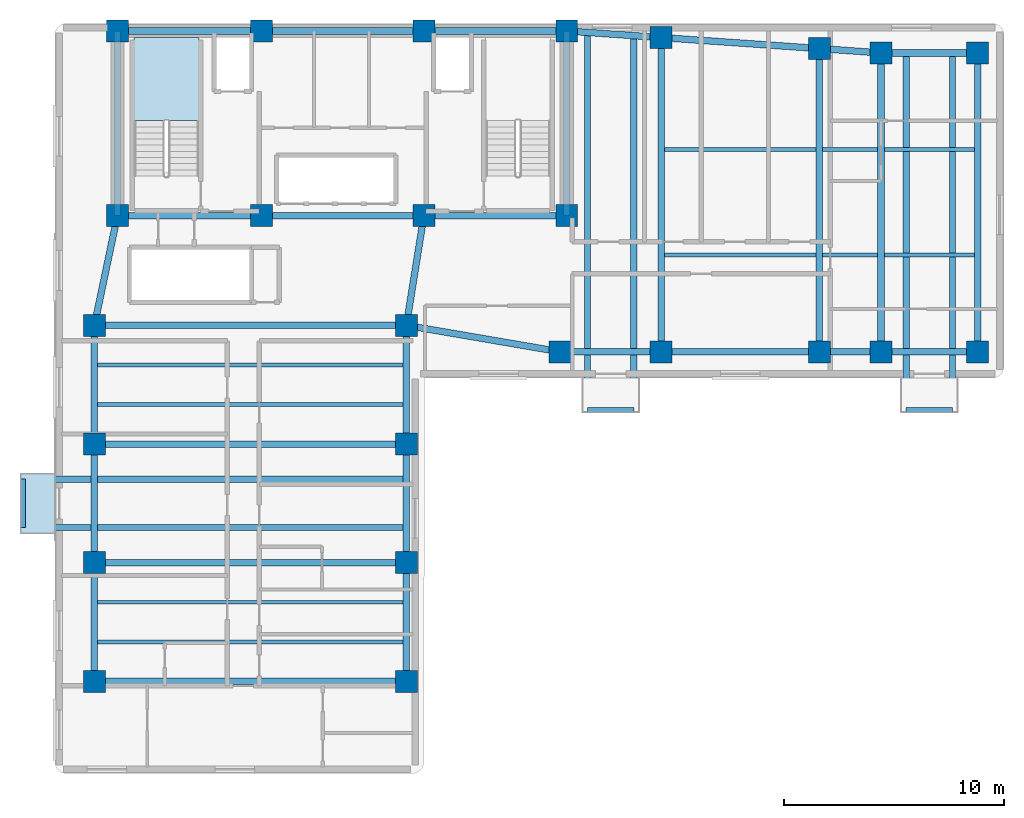
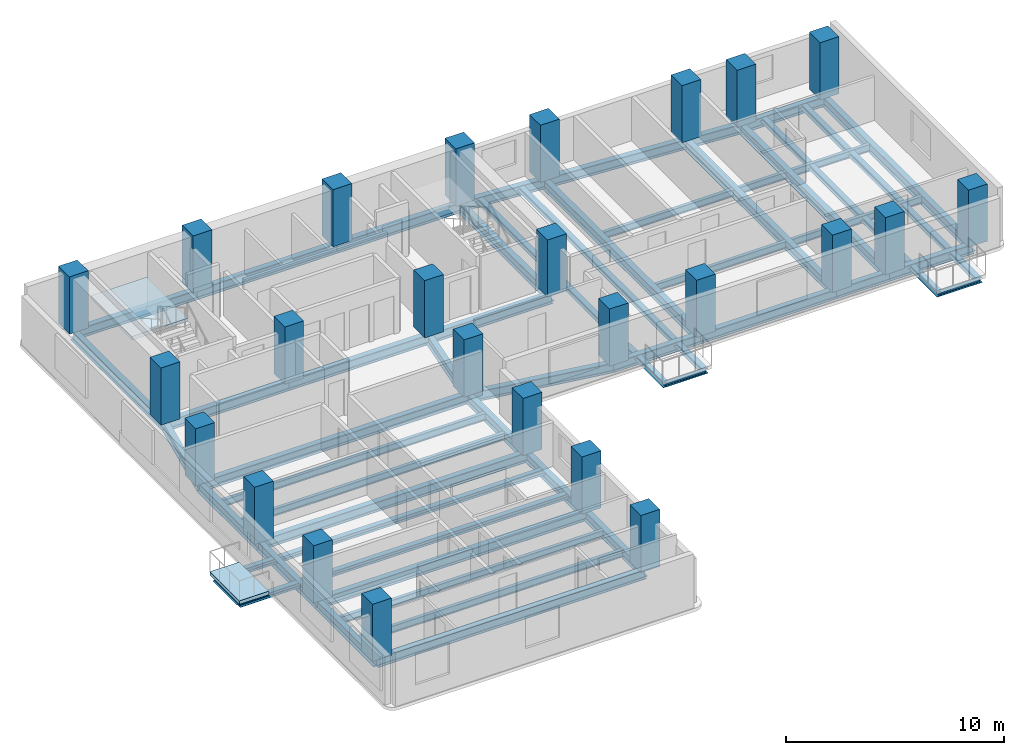
# One storey, part 1 of 7: 52 beams, 25 columns, 2 slabs, 1 element without a shape of its own.
"""IFC4 building model written with IfcOpenShell, lengths in metres."""

from ifc_helpers import new_model, si_unit, direction, frame, origin, origin_2d, place, context, subcontext, project, spatial, polyline, rectangle, i_section, outline, extrude, material, layer, layer_set, material_profile, profile_set, type_object, element, aggregate, save


model = new_model("IFC4")

# Units and contexts
model_context = context("Model", 3, precision=1e-05, world=origin(), true_north=direction((0.0, 1.0)))
body_context = subcontext(model_context, "Body", "Model", "MODEL_VIEW")
ifc_project = project(units=[si_unit("LENGTHUNIT", "METRE"), si_unit("AREAUNIT", "SQUARE_METRE"), si_unit("VOLUMEUNIT", "CUBIC_METRE"), si_unit("PLANEANGLEUNIT", "RADIAN"), si_unit("MASSUNIT", "GRAM", prefix="KILO")], contexts=[model_context])

# Site, building, storey
site_placement = place(None, origin())
site = spatial("IfcSite", under=ifc_project, at=site_placement, CompositionType="ELEMENT")
building_placement = place(site_placement, origin())
building = spatial("IfcBuilding", under=site, at=building_placement, Name="Kuzgunbayir Cultural Tower", CompositionType="ELEMENT")
storey_placement = place(building_placement, frame((0.0, 0.0, 133.0)))
storey = spatial("IfcBuildingStorey", under=building, at=storey_placement, Name="L38", CompositionType="ELEMENT", Elevation=133.0)

# Columns
ifc_material_1 = material(Name="Concrete C50/60", Category="concrete")
ifc_material_profile_1 = material_profile(ifc_material_1, rectangle(XDim=1.0, YDim=1.0, at=origin_2d()), Name="RC 1000x1000")
ifc_profile_set_1 = profile_set([ifc_material_profile_1], Name="Concrete C50/60")
column_type_1 = type_object("IfcColumnType", Name="COL-CORE-1000", PredefinedType="COLUMN", material=ifc_profile_set_1)
for number, where, z_axis, x_axis, name in (
    (1, (6.449951171875, 33.800048828125, 0.0), (0.0, 0.0, 1.0), (1.0, 0.0, 0.0), "L38 T1 Core Boundary Column CC1-1"),
    (2, (13.0, 33.800048828125, 0.0), (0.0, 0.0, 1.0), (1.0, 0.0, 0.0), "L38 T1 Core Boundary Column CC1-2"),
    (3, (20.39990234375, 33.800048828125, 0.0), (0.0, 0.0, 1.0), (1.0, 0.0, 0.0), "L38 T1 Core Boundary Column CC1-3"),
    (4, (26.89990234375, 33.800048828125, 0.0), (0.0, 0.0, 1.0), (1.0, 0.0, 0.0), "L38 T1 Core Boundary Column CC1-4"),
    (5, (6.449951171875, 42.199951171875, 0.0), (0.0, 0.0, 1.0), (1.0, 0.0, 0.0), "L38 T1 Core Boundary Column CC1-5"),
    (6, (13.0, 42.199951171875, 0.0), (0.0, 0.0, 1.0), (1.0, 0.0, 0.0), "L38 T1 Core Boundary Column CC1-6"),
    (7, (20.39990234375, 42.199951171875, 0.0), (0.0, 0.0, 1.0), (1.0, 0.0, 0.0), "L38 T1 Core Boundary Column CC1-7"),
    (8, (26.89990234375, 42.199951171875, 0.0), (0.0, 0.0, 1.0), (1.0, 0.0, 0.0), "L38 T1 Core Boundary Column CC1-8"),
):
    element("IfcColumn", number, at=place(storey_placement, frame(where, z_axis=z_axis, x_axis=x_axis)), inside=storey, type_object=column_type_1, Name=name, PredefinedType="COLUMN", context=body_context, shape_type="SweptSolid", body=[
        extrude(rectangle(XDim=1.0, YDim=1.0, at=origin_2d()), origin(), (0.0, 0.0, 1.0), 3.199951171875),
    ])
ifc_material_profile_2 = material_profile(ifc_material_1, rectangle(XDim=1.0, YDim=1.0, at=origin_2d()), Name="RC 1000x1000")
ifc_profile_set_2 = profile_set([ifc_material_profile_2], Name="Concrete C50/60")
column_type_2 = type_object("IfcColumnType", Name="COL-T1-1000", PredefinedType="COLUMN", material=ifc_profile_set_2)
for number, where, z_axis, x_axis, name in (
    (9, (5.39990234375, 12.60009765625, 0.0), (0.0, 0.0, 1.0), (1.0, 0.0, 0.0), "L38 Tower 1 Wing A Column T1A-W-1"),
    (10, (19.60009765625, 12.60009765625, 0.0), (0.0, 0.0, 1.0), (1.0, 0.0, 0.0), "L38 Tower 1 Wing A Column T1A-E-1"),
    (11, (5.39990234375, 18.0, 0.0), (0.0, 0.0, 1.0), (1.0, 0.0, 0.0), "L38 Tower 1 Wing A Column T1A-W-2"),
    (12, (19.60009765625, 18.0, 0.0), (0.0, 0.0, 1.0), (1.0, 0.0, 0.0), "L38 Tower 1 Wing A Column T1A-E-2"),
    (13, (5.39990234375, 23.39990234375, 0.0), (0.0, 0.0, 1.0), (1.0, 0.0, 0.0), "L38 Tower 1 Wing A Column T1A-W-3"),
    (14, (19.60009765625, 23.39990234375, 0.0), (0.0, 0.0, 1.0), (1.0, 0.0, 0.0), "L38 Tower 1 Wing A Column T1A-E-3"),
    (15, (5.39990234375, 28.800048828125, 0.0), (0.0, 0.0, 1.0), (1.0, 0.0, 0.0), "L38 Tower 1 Wing A Column T1A-W-4"),
    (16, (19.60009765625, 28.800048828125, 0.0), (0.0, 0.0, 1.0), (1.0, 0.0, 0.0), "L38 Tower 1 Wing A Column T1A-E-4"),
    (17, (26.60009765625, 27.60009765625, 0.0), (0.0, 0.0, 1.0), (1.0, 0.0, 0.0), "L38 Tower 1 Wing B Column T1B-1-1"),
    (18, (31.199951171875, 27.60009765625, 0.0), (0.0, 0.0, 1.0), (1.0, 0.0, 0.0), "L38 Tower 1 Wing B Column T1B-2-1"),
    (19, (31.199951171875, 41.89990234375, 0.0), (0.0, 0.0, 1.0), (1.0, 0.0, 0.0), "L38 Tower 1 Wing B Column T1B-2-2"),
    (20, (38.39990234375, 27.60009765625, 0.0), (0.0, 0.0, 1.0), (1.0, 0.0, 0.0), "L38 Tower 1 Wing B Column T1B-3-1"),
    (21, (38.39990234375, 41.39990234375, 0.0), (0.0, 0.0, 1.0), (1.0, 0.0, 0.0), "L38 Tower 1 Wing B Column T1B-3-2"),
    (22, (41.199951171875, 27.60009765625, 0.0), (0.0, 0.0, 1.0), (1.0, 0.0, 0.0), "L38 Tower 1 Wing B Column T1B-4-1"),
    (23, (41.199951171875, 41.199951171875, 0.0), (0.0, 0.0, 1.0), (1.0, 0.0, 0.0), "L38 Tower 1 Wing B Column T1B-4-2"),
    (24, (45.60009765625, 27.60009765625, 0.0), (0.0, 0.0, 1.0), (1.0, 0.0, 0.0), "L38 Tower 1 Wing B Column T1B-5-1"),
    (25, (45.60009765625, 41.199951171875, 0.0), (0.0, 0.0, 1.0), (1.0, 0.0, 0.0), "L38 Tower 1 Wing B Column T1B-5-2"),
):
    element("IfcColumn", number, at=place(storey_placement, frame(where, z_axis=z_axis, x_axis=x_axis)), inside=storey, type_object=column_type_2, Name=name, PredefinedType="COLUMN", context=body_context, shape_type="SweptSolid", body=[
        extrude(rectangle(XDim=1.0, YDim=1.0, at=origin_2d()), origin(), (0.0, 0.0, 1.0), 3.199951171875),
    ])

# Beams
ifc_material_2 = material(Name="Steel S355J2", Category="steel")
ifc_material_profile_3 = material_profile(ifc_material_2, i_section(OverallWidth=0.280029296875, OverallDepth=0.280029296875, WebThickness=0.010498046875, FlangeThickness=0.01806640625, FilletRadius=0.02392578125, at=origin_2d()), Name="HEB 280")
ifc_profile_set_3 = profile_set([ifc_material_profile_3], Name="Steel S355J2")
beam_type_1 = type_object("IfcBeamType", Name="BM-BAL-HEB280", PredefinedType="BEAM", material=ifc_profile_set_3)
for number, where, z_axis, x_axis, name in (
    (26, (2.159912109375, 19.60009765625, -0.340087890625), (1.0, 0.0, 0.0), (0.0, 1.0, 0.0), "L38 Balcony Outrigger Beam BAL-L38-WA2.1"),
    (27, (2.159912109375, 21.800048828125, -0.340087890625), (1.0, 0.0, 0.0), (0.0, 1.0, 0.0), "L38 Balcony Outrigger Beam BAL-L38-WA2.2"),
):
    element("IfcBeam", number, at=place(storey_placement, frame(where, z_axis=z_axis, x_axis=x_axis)), inside=storey, type_object=beam_type_1, Name=name, PredefinedType="BEAM", context=body_context, shape_type="SweptSolid", body=[
        extrude(i_section(OverallWidth=0.280029296875, OverallDepth=0.280029296875, WebThickness=0.010498046875, FlangeThickness=0.01806640625, FilletRadius=0.02392578125, at=origin_2d()), origin(), (0.0, 0.0, 1.0), 17.440185546875),
    ])
beam_1_placement = place(storey_placement, frame((27.85009765625, 24.9599609375, -0.340087890625), z_axis=(0.0, 1.0, 0.0), x_axis=(-1.0, 0.0, 0.0)))
element("IfcBeam", 28, at=beam_1_placement, inside=storey, type_object=beam_type_1, Name="L38 Balcony Outrigger Beam BAL-L38-WB1.1", PredefinedType="BEAM", context=body_context, shape_type="SweptSolid", body=[
    extrude(i_section(OverallWidth=0.280029296875, OverallDepth=0.280029296875, WebThickness=0.010498046875, FlangeThickness=0.01806640625, FilletRadius=0.02392578125, at=origin_2d()), origin(), (0.0, 0.0, 1.0), 17.169921875),
])
beam_2_placement = place(storey_placement, frame((29.949951171875, 24.9599609375, -0.340087890625), z_axis=(0.0, 1.0, 0.0), x_axis=(-1.0, 0.0, 0.0)))
element("IfcBeam", 29, at=beam_2_placement, inside=storey, type_object=beam_type_1, Name="L38 Balcony Outrigger Beam BAL-L38-WB1.2", PredefinedType="BEAM", context=body_context, shape_type="SweptSolid", body=[
    extrude(i_section(OverallWidth=0.280029296875, OverallDepth=0.280029296875, WebThickness=0.010498046875, FlangeThickness=0.01806640625, FilletRadius=0.02392578125, at=origin_2d()), origin(), (0.0, 0.0, 1.0), 17.030029296875),
])
for number, where, z_axis, x_axis, name in (
    (30, (42.35009765625, 24.9599609375, -0.340087890625), (0.0, 1.0, 0.0), (-1.0, 0.0, 0.0), "L38 Balcony Outrigger Beam BAL-L38-WB3.1"),
    (31, (44.449951171875, 24.9599609375, -0.340087890625), (0.0, 1.0, 0.0), (-1.0, 0.0, 0.0), "L38 Balcony Outrigger Beam BAL-L38-WB3.2"),
):
    element("IfcBeam", number, at=place(storey_placement, frame(where, z_axis=z_axis, x_axis=x_axis)), inside=storey, type_object=beam_type_1, Name=name, PredefinedType="BEAM", context=body_context, shape_type="SweptSolid", body=[
        extrude(i_section(OverallWidth=0.280029296875, OverallDepth=0.280029296875, WebThickness=0.010498046875, FlangeThickness=0.01806640625, FilletRadius=0.02392578125, at=origin_2d()), origin(), (0.0, 0.0, 1.0), 16.239990234375),
    ])
ifc_material_profile_4 = material_profile(ifc_material_2, i_section(OverallWidth=0.199951171875, OverallDepth=0.199951171875, WebThickness=0.009033203125, FlangeThickness=0.014892578125, FilletRadius=0.01806640625, at=origin_2d()), Name="HEB 200")
ifc_profile_set_4 = profile_set([ifc_material_profile_4], Name="Steel S355J2")
beam_type_2 = type_object("IfcBeamType", Name="BM-CAN-HEB200", PredefinedType="BEAM", material=ifc_profile_set_4)
beam_3_placement = place(storey_placement, frame((2.159912109375, 19.60009765625, -0.300048828125), z_axis=(0.0, 1.0, 0.0), x_axis=(-1.0, 0.0, 0.0)))
element("IfcBeam", 32, at=beam_3_placement, inside=storey, type_object=beam_type_2, Name="L38 Balcony Edge Header BAL-L38-WA2", PredefinedType="BEAM", context=body_context, shape_type="SweptSolid", body=[
    extrude(i_section(OverallWidth=0.199951171875, OverallDepth=0.199951171875, WebThickness=0.009033203125, FlangeThickness=0.014892578125, FilletRadius=0.01806640625, at=origin_2d()), origin(), (0.0, 0.0, 1.0), 2.199951171875),
])
for number, where, z_axis, x_axis, name in (
    (33, (27.85009765625, 24.9599609375, -0.300048828125), (1.0, 0.0, 0.0), (0.0, 1.0, 0.0), "L38 Balcony Edge Header BAL-L38-WB1"),
    (34, (42.35009765625, 24.9599609375, -0.300048828125), (1.0, 0.0, 0.0), (0.0, 1.0, 0.0), "L38 Balcony Edge Header BAL-L38-WB3"),
):
    element("IfcBeam", number, at=place(storey_placement, frame(where, z_axis=z_axis, x_axis=x_axis)), inside=storey, type_object=beam_type_2, Name=name, PredefinedType="BEAM", context=body_context, shape_type="SweptSolid", body=[
        extrude(i_section(OverallWidth=0.199951171875, OverallDepth=0.199951171875, WebThickness=0.009033203125, FlangeThickness=0.014892578125, FilletRadius=0.01806640625, at=origin_2d()), origin(), (0.0, 0.0, 1.0), 2.099853515625),
    ])
ifc_material_profile_5 = material_profile(ifc_material_2, i_section(OverallWidth=0.300048828125, OverallDepth=0.550048828125, WebThickness=0.014892578125, FlangeThickness=0.029052734375, FilletRadius=0.027099609375, at=origin_2d()), Name="HEB 550")
ifc_profile_set_5 = profile_set([ifc_material_profile_5], Name="Steel S355J2")
beam_type_3 = type_object("IfcBeamType", Name="BM-EXT-HEB550", PredefinedType="BEAM", material=ifc_profile_set_5)
for number, where, z_axis, x_axis, name in (
    (35, (5.39990234375, 12.60009765625, -0.4599609375), (0.0, 1.0, 0.0), (-1.0, 0.0, 0.0), "L38 Wing A West Girder 1"),
    (36, (19.60009765625, 12.60009765625, -0.4599609375), (0.0, 1.0, 0.0), (-1.0, 0.0, 0.0), "L38 Wing A East Girder 1"),
    (37, (5.39990234375, 18.0, -0.4599609375), (0.0, 1.0, 0.0), (-1.0, 0.0, 0.0), "L38 Wing A West Girder 2"),
    (38, (19.60009765625, 18.0, -0.4599609375), (0.0, 1.0, 0.0), (-1.0, 0.0, 0.0), "L38 Wing A East Girder 2"),
):
    element("IfcBeam", number, at=place(storey_placement, frame(where, z_axis=z_axis, x_axis=x_axis)), inside=storey, type_object=beam_type_3, Name=name, PredefinedType="BEAM", context=body_context, shape_type="SweptSolid", body=[
        extrude(i_section(OverallWidth=0.300048828125, OverallDepth=0.550048828125, WebThickness=0.014892578125, FlangeThickness=0.029052734375, FilletRadius=0.027099609375, at=origin_2d()), origin(), (0.0, 0.0, 1.0), 5.39990234375),
    ])
for number, where, z_axis, x_axis, name in (
    (39, (5.39990234375, 23.39990234375, -0.4599609375), (0.0, 1.0, 0.0), (-1.0, 0.0, 0.0), "L38 Wing A West Girder 3"),
    (40, (19.60009765625, 23.39990234375, -0.4599609375), (0.0, 1.0, 0.0), (-1.0, 0.0, 0.0), "L38 Wing A East Girder 3"),
):
    element("IfcBeam", number, at=place(storey_placement, frame(where, z_axis=z_axis, x_axis=x_axis)), inside=storey, type_object=beam_type_3, Name=name, PredefinedType="BEAM", context=body_context, shape_type="SweptSolid", body=[
        extrude(i_section(OverallWidth=0.300048828125, OverallDepth=0.550048828125, WebThickness=0.014892578125, FlangeThickness=0.029052734375, FilletRadius=0.027099609375, at=origin_2d()), origin(), (0.0, 0.0, 1.0), 5.400146484375),
    ])
beam_4_placement = place(storey_placement, frame((26.60009765625, 27.60009765625, -0.4599609375), z_axis=(1.0, 0.0, 0.0), x_axis=(0.0, 1.0, 0.0)))
element("IfcBeam", 41, at=beam_4_placement, inside=storey, type_object=beam_type_3, Name="L38 Wing B South Girder 1", PredefinedType="BEAM", context=body_context, shape_type="SweptSolid", body=[
    extrude(i_section(OverallWidth=0.300048828125, OverallDepth=0.550048828125, WebThickness=0.014892578125, FlangeThickness=0.029052734375, FilletRadius=0.027099609375, at=origin_2d()), origin(), (0.0, 0.0, 1.0), 4.599853515625),
])
beam_5_placement = place(storey_placement, frame((26.89990234375, 42.199951171875, -0.4599609375), z_axis=(0.997574369175, -0.069608749203, 0.0), x_axis=(0.069608749203, 0.997574369175, 0.0)))
element("IfcBeam", 42, at=beam_5_placement, inside=storey, type_object=beam_type_3, Name="L38 Wing B North Girder 1", PredefinedType="BEAM", context=body_context, shape_type="SweptSolid", body=[
    extrude(i_section(OverallWidth=0.300048828125, OverallDepth=0.550048828125, WebThickness=0.014892578125, FlangeThickness=0.029052734375, FilletRadius=0.027099609375, at=origin_2d()), origin(), (0.0, 0.0, 1.0), 4.310546875),
])
beam_6_placement = place(storey_placement, frame((31.199951171875, 27.60009765625, -0.4599609375), z_axis=(1.0, 0.0, 0.0), x_axis=(0.0, 1.0, 0.0)))
element("IfcBeam", 43, at=beam_6_placement, inside=storey, type_object=beam_type_3, Name="L38 Wing B South Girder 2", PredefinedType="BEAM", context=body_context, shape_type="SweptSolid", body=[
    extrude(i_section(OverallWidth=0.300048828125, OverallDepth=0.550048828125, WebThickness=0.014892578125, FlangeThickness=0.029052734375, FilletRadius=0.027099609375, at=origin_2d()), origin(), (0.0, 0.0, 1.0), 7.199951171875),
])
beam_7_placement = place(storey_placement, frame((31.199951171875, 41.89990234375, -0.4599609375), z_axis=(0.997597388498, -0.069278066245, 0.0), x_axis=(0.069278066245, 0.997597388498, 0.0)))
element("IfcBeam", 44, at=beam_7_placement, inside=storey, type_object=beam_type_3, Name="L38 Wing B North Girder 2", PredefinedType="BEAM", context=body_context, shape_type="SweptSolid", body=[
    extrude(i_section(OverallWidth=0.300048828125, OverallDepth=0.550048828125, WebThickness=0.014892578125, FlangeThickness=0.029052734375, FilletRadius=0.027099609375, at=origin_2d()), origin(), (0.0, 0.0, 1.0), 7.21728515625),
])
beam_8_placement = place(storey_placement, frame((38.39990234375, 27.60009765625, -0.4599609375), z_axis=(1.0, 0.0, 0.0), x_axis=(0.0, 1.0, 0.0)))
element("IfcBeam", 45, at=beam_8_placement, inside=storey, type_object=beam_type_3, Name="L38 Wing B South Girder 3", PredefinedType="BEAM", context=body_context, shape_type="SweptSolid", body=[
    extrude(i_section(OverallWidth=0.300048828125, OverallDepth=0.550048828125, WebThickness=0.014892578125, FlangeThickness=0.029052734375, FilletRadius=0.027099609375, at=origin_2d()), origin(), (0.0, 0.0, 1.0), 2.800048828125),
])
beam_9_placement = place(storey_placement, frame((38.39990234375, 41.39990234375, -0.4599609375), z_axis=(0.997460024076, -0.071228508128, 0.0), x_axis=(0.071228508128, 0.997460024076, 0.0)))
element("IfcBeam", 46, at=beam_9_placement, inside=storey, type_object=beam_type_3, Name="L38 Wing B North Girder 3", PredefinedType="BEAM", context=body_context, shape_type="SweptSolid", body=[
    extrude(i_section(OverallWidth=0.300048828125, OverallDepth=0.550048828125, WebThickness=0.014892578125, FlangeThickness=0.029052734375, FilletRadius=0.027099609375, at=origin_2d()), origin(), (0.0, 0.0, 1.0), 2.80712890625),
])
for number, where, z_axis, x_axis, name in (
    (47, (41.199951171875, 27.60009765625, -0.4599609375), (1.0, 0.0, 0.0), (0.0, 1.0, 0.0), "L38 Wing B South Girder 4"),
    (48, (41.199951171875, 41.199951171875, -0.4599609375), (1.0, 0.0, 0.0), (0.0, 1.0, 0.0), "L38 Wing B North Girder 4"),
):
    element("IfcBeam", number, at=place(storey_placement, frame(where, z_axis=z_axis, x_axis=x_axis)), inside=storey, type_object=beam_type_3, Name=name, PredefinedType="BEAM", context=body_context, shape_type="SweptSolid", body=[
        extrude(i_section(OverallWidth=0.300048828125, OverallDepth=0.550048828125, WebThickness=0.014892578125, FlangeThickness=0.029052734375, FilletRadius=0.027099609375, at=origin_2d()), origin(), (0.0, 0.0, 1.0), 4.400146484375),
    ])
ifc_material_profile_6 = material_profile(ifc_material_2, i_section(OverallWidth=0.300048828125, OverallDepth=0.550048828125, WebThickness=0.014892578125, FlangeThickness=0.029052734375, FilletRadius=0.027099609375, at=origin_2d()), Name="HEB 550")
ifc_profile_set_6 = profile_set([ifc_material_profile_6], Name="Steel S355J2")
beam_type_4 = type_object("IfcBeamType", Name="BM-GIR-HEB550", PredefinedType="BEAM", material=ifc_profile_set_6)
beam_10_placement = place(storey_placement, frame((6.449951171875, 33.800048828125, -0.4599609375), z_axis=(1.0, 0.0, 0.0), x_axis=(0.0, 1.0, 0.0)))
element("IfcBeam", 49, at=beam_10_placement, inside=storey, type_object=beam_type_4, Name="L38 Core South Girder 1", PredefinedType="BEAM", context=body_context, shape_type="SweptSolid", body=[
    extrude(i_section(OverallWidth=0.300048828125, OverallDepth=0.550048828125, WebThickness=0.014892578125, FlangeThickness=0.029052734375, FilletRadius=0.027099609375, at=origin_2d()), origin(), (0.0, 0.0, 1.0), 6.550048828125),
])
beam_11_placement = place(storey_placement, frame((13.0, 33.800048828125, -0.4599609375), z_axis=(1.0, 0.0, 0.0), x_axis=(0.0, 1.0, 0.0)))
element("IfcBeam", 50, at=beam_11_placement, inside=storey, type_object=beam_type_4, Name="L38 Core South Girder 2", PredefinedType="BEAM", context=body_context, shape_type="SweptSolid", body=[
    extrude(i_section(OverallWidth=0.300048828125, OverallDepth=0.550048828125, WebThickness=0.014892578125, FlangeThickness=0.029052734375, FilletRadius=0.027099609375, at=origin_2d()), origin(), (0.0, 0.0, 1.0), 7.39990234375),
])
beam_12_placement = place(storey_placement, frame((20.39990234375, 33.800048828125, -0.4599609375), z_axis=(1.0, 0.0, 0.0), x_axis=(0.0, 1.0, 0.0)))
element("IfcBeam", 51, at=beam_12_placement, inside=storey, type_object=beam_type_4, Name="L38 Core South Girder 3", PredefinedType="BEAM", context=body_context, shape_type="SweptSolid", body=[
    extrude(i_section(OverallWidth=0.300048828125, OverallDepth=0.550048828125, WebThickness=0.014892578125, FlangeThickness=0.029052734375, FilletRadius=0.027099609375, at=origin_2d()), origin(), (0.0, 0.0, 1.0), 6.5),
])
beam_13_placement = place(storey_placement, frame((6.449951171875, 42.199951171875, -0.4599609375), z_axis=(1.0, 0.0, 0.0), x_axis=(0.0, 1.0, 0.0)))
element("IfcBeam", 52, at=beam_13_placement, inside=storey, type_object=beam_type_4, Name="L38 Core North Girder 1", PredefinedType="BEAM", context=body_context, shape_type="SweptSolid", body=[
    extrude(i_section(OverallWidth=0.300048828125, OverallDepth=0.550048828125, WebThickness=0.014892578125, FlangeThickness=0.029052734375, FilletRadius=0.027099609375, at=origin_2d()), origin(), (0.0, 0.0, 1.0), 6.550048828125),
])
beam_14_placement = place(storey_placement, frame((13.0, 42.199951171875, -0.4599609375), z_axis=(1.0, 0.0, 0.0), x_axis=(0.0, 1.0, 0.0)))
element("IfcBeam", 53, at=beam_14_placement, inside=storey, type_object=beam_type_4, Name="L38 Core North Girder 2", PredefinedType="BEAM", context=body_context, shape_type="SweptSolid", body=[
    extrude(i_section(OverallWidth=0.300048828125, OverallDepth=0.550048828125, WebThickness=0.014892578125, FlangeThickness=0.029052734375, FilletRadius=0.027099609375, at=origin_2d()), origin(), (0.0, 0.0, 1.0), 7.39990234375),
])
beam_15_placement = place(storey_placement, frame((20.39990234375, 42.199951171875, -0.4599609375), z_axis=(1.0, 0.0, 0.0), x_axis=(0.0, 1.0, 0.0)))
element("IfcBeam", 54, at=beam_15_placement, inside=storey, type_object=beam_type_4, Name="L38 Core North Girder 3", PredefinedType="BEAM", context=body_context, shape_type="SweptSolid", body=[
    extrude(i_section(OverallWidth=0.300048828125, OverallDepth=0.550048828125, WebThickness=0.014892578125, FlangeThickness=0.029052734375, FilletRadius=0.027099609375, at=origin_2d()), origin(), (0.0, 0.0, 1.0), 6.5),
])
for number, where, z_axis, x_axis, name in (
    (55, (6.449951171875, 33.800048828125, -0.4599609375), (0.0, 1.0, 0.0), (-1.0, 0.0, 0.0), "L38 Core West Edge Girder"),
    (56, (26.89990234375, 33.800048828125, -0.4599609375), (0.0, 1.0, 0.0), (-1.0, 0.0, 0.0), "L38 Core East Edge Girder"),
):
    element("IfcBeam", number, at=place(storey_placement, frame(where, z_axis=z_axis, x_axis=x_axis)), inside=storey, type_object=beam_type_4, Name=name, PredefinedType="BEAM", context=body_context, shape_type="SweptSolid", body=[
        extrude(i_section(OverallWidth=0.300048828125, OverallDepth=0.550048828125, WebThickness=0.014892578125, FlangeThickness=0.029052734375, FilletRadius=0.027099609375, at=origin_2d()), origin(), (0.0, 0.0, 1.0), 8.39990234375),
    ])
for number, where, z_axis, x_axis, name in (
    (57, (5.39990234375, 12.60009765625, -0.4599609375), (1.0, 0.0, 0.0), (0.0, 1.0, 0.0), "L38 Wing A Transverse Girder 1"),
    (58, (5.39990234375, 18.0, -0.4599609375), (1.0, 0.0, 0.0), (0.0, 1.0, 0.0), "L38 Wing A Transverse Girder 2"),
    (59, (5.39990234375, 23.39990234375, -0.4599609375), (1.0, 0.0, 0.0), (0.0, 1.0, 0.0), "L38 Wing A Transverse Girder 3"),
    (60, (5.39990234375, 28.800048828125, -0.4599609375), (1.0, 0.0, 0.0), (0.0, 1.0, 0.0), "L38 Wing A Transverse Girder 4"),
):
    element("IfcBeam", number, at=place(storey_placement, frame(where, z_axis=z_axis, x_axis=x_axis)), inside=storey, type_object=beam_type_4, Name=name, PredefinedType="BEAM", context=body_context, shape_type="SweptSolid", body=[
        extrude(i_section(OverallWidth=0.300048828125, OverallDepth=0.550048828125, WebThickness=0.014892578125, FlangeThickness=0.029052734375, FilletRadius=0.027099609375, at=origin_2d()), origin(), (0.0, 0.0, 1.0), 14.2001953125),
    ])
beam_16_placement = place(storey_placement, frame((5.39990234375, 28.800048828125, -0.4599609375), z_axis=(0.205526387753, 0.978651574329, 0.0), x_axis=(-0.978651574329, 0.205526387753, 0.0)))
element("IfcBeam", 61, at=beam_16_placement, inside=storey, type_object=beam_type_4, Name="L38 Wing A West Core Floor Girder", PredefinedType="BEAM", context=body_context, shape_type="SweptSolid", body=[
    extrude(i_section(OverallWidth=0.300048828125, OverallDepth=0.550048828125, WebThickness=0.014892578125, FlangeThickness=0.029052734375, FilletRadius=0.027099609375, at=origin_2d()), origin(), (0.0, 0.0, 1.0), 5.109130859375),
])
beam_17_placement = place(storey_placement, frame((19.60009765625, 28.800048828125, -0.4599609375), z_axis=(0.157952891656, 0.987446648694, 0.0), x_axis=(-0.987446648694, 0.157952891656, 0.0)))
element("IfcBeam", 62, at=beam_17_placement, inside=storey, type_object=beam_type_4, Name="L38 Wing A East Core Floor Girder", PredefinedType="BEAM", context=body_context, shape_type="SweptSolid", body=[
    extrude(i_section(OverallWidth=0.300048828125, OverallDepth=0.550048828125, WebThickness=0.014892578125, FlangeThickness=0.029052734375, FilletRadius=0.027099609375, at=origin_2d()), origin(), (0.0, 0.0, 1.0), 5.0634765625),
])
beam_18_placement = place(storey_placement, frame((31.199951171875, 27.60009765625, -0.4599609375), z_axis=(0.0, 1.0, 0.0), x_axis=(-1.0, 0.0, 0.0)))
element("IfcBeam", 63, at=beam_18_placement, inside=storey, type_object=beam_type_4, Name="L38 Wing B Cross Girder 31", PredefinedType="BEAM", context=body_context, shape_type="SweptSolid", body=[
    extrude(i_section(OverallWidth=0.300048828125, OverallDepth=0.550048828125, WebThickness=0.014892578125, FlangeThickness=0.029052734375, FilletRadius=0.027099609375, at=origin_2d()), origin(), (0.0, 0.0, 1.0), 14.2998046875),
])
beam_19_placement = place(storey_placement, frame((38.39990234375, 27.60009765625, -0.4599609375), z_axis=(0.0, 1.0, 0.0), x_axis=(-1.0, 0.0, 0.0)))
element("IfcBeam", 64, at=beam_19_placement, inside=storey, type_object=beam_type_4, Name="L38 Wing B Cross Girder 38", PredefinedType="BEAM", context=body_context, shape_type="SweptSolid", body=[
    extrude(i_section(OverallWidth=0.300048828125, OverallDepth=0.550048828125, WebThickness=0.014892578125, FlangeThickness=0.029052734375, FilletRadius=0.027099609375, at=origin_2d()), origin(), (0.0, 0.0, 1.0), 13.7998046875),
])
for number, where, z_axis, x_axis, name in (
    (65, (41.199951171875, 27.60009765625, -0.4599609375), (0.0, 1.0, 0.0), (-1.0, 0.0, 0.0), "L38 Wing B Cross Girder 41"),
    (66, (45.60009765625, 27.60009765625, -0.4599609375), (0.0, 1.0, 0.0), (-1.0, 0.0, 0.0), "L38 Wing B Cross Girder 45"),
):
    element("IfcBeam", number, at=place(storey_placement, frame(where, z_axis=z_axis, x_axis=x_axis)), inside=storey, type_object=beam_type_4, Name=name, PredefinedType="BEAM", context=body_context, shape_type="SweptSolid", body=[
        extrude(i_section(OverallWidth=0.300048828125, OverallDepth=0.550048828125, WebThickness=0.014892578125, FlangeThickness=0.029052734375, FilletRadius=0.027099609375, at=origin_2d()), origin(), (0.0, 0.0, 1.0), 13.599853515625),
    ])
beam_20_placement = place(storey_placement, frame((19.60009765625, 28.800048828125, -0.4599609375), z_axis=(0.985623399742, -0.168957136221, 0.0), x_axis=(0.168957136221, 0.985623399742, 0.0)))
element("IfcBeam", 67, at=beam_20_placement, inside=storey, type_object=beam_type_4, Name="L38 Wing B Waist Tie Girder", PredefinedType="BEAM", context=body_context, shape_type="SweptSolid", body=[
    extrude(i_section(OverallWidth=0.300048828125, OverallDepth=0.550048828125, WebThickness=0.014892578125, FlangeThickness=0.029052734375, FilletRadius=0.027099609375, at=origin_2d()), origin(), (0.0, 0.0, 1.0), 7.10205078125),
])
ifc_material_profile_7 = material_profile(ifc_material_2, i_section(OverallWidth=0.179931640625, OverallDepth=0.39990234375, WebThickness=0.008544921875, FlangeThickness=0.013427734375, FilletRadius=0.02099609375, at=origin_2d()), Name="IPE 400")
ifc_profile_set_7 = profile_set([ifc_material_profile_7], Name="Steel S355J2")
beam_type_5 = type_object("IfcBeamType", Name="BM-JST-IPE400", PredefinedType="JOIST", material=ifc_profile_set_7)
for number, where, z_axis, x_axis, name in (
    (68, (5.550048828125, 14.39990234375, -0.3798828125), (1.0, 0.0, 0.0), (0.0, 1.0, 0.0), "L38 Wing A Secondary Joist 1"),
    (69, (5.550048828125, 16.199951171875, -0.3798828125), (1.0, 0.0, 0.0), (0.0, 1.0, 0.0), "L38 Wing A Secondary Joist 2"),
    (70, (5.550048828125, 25.199951171875, -0.3798828125), (1.0, 0.0, 0.0), (0.0, 1.0, 0.0), "L38 Wing A Secondary Joist 5"),
    (71, (5.550048828125, 27.0, -0.3798828125), (1.0, 0.0, 0.0), (0.0, 1.0, 0.0), "L38 Wing A Secondary Joist 6"),
):
    element("IfcBeam", number, at=place(storey_placement, frame(where, z_axis=z_axis, x_axis=x_axis)), inside=storey, type_object=beam_type_5, Name=name, PredefinedType="JOIST", context=body_context, shape_type="SweptSolid", body=[
        extrude(i_section(OverallWidth=0.179931640625, OverallDepth=0.39990234375, WebThickness=0.008544921875, FlangeThickness=0.013427734375, FilletRadius=0.02099609375, at=origin_2d()), origin(), (0.0, 0.0, 1.0), 13.89990234375),
    ])
for number, where, z_axis, x_axis, name in (
    (72, (31.35009765625, 32.0, -0.3798828125), (1.0, 0.0, 0.0), (0.0, 1.0, 0.0), "L38 Wing B Secondary Joist 1.1"),
    (73, (31.35009765625, 36.800048828125, -0.3798828125), (1.0, 0.0, 0.0), (0.0, 1.0, 0.0), "L38 Wing B Secondary Joist 1.2"),
):
    element("IfcBeam", number, at=place(storey_placement, frame(where, z_axis=z_axis, x_axis=x_axis)), inside=storey, type_object=beam_type_5, Name=name, PredefinedType="JOIST", context=body_context, shape_type="SweptSolid", body=[
        extrude(i_section(OverallWidth=0.179931640625, OverallDepth=0.39990234375, WebThickness=0.008544921875, FlangeThickness=0.013427734375, FilletRadius=0.02099609375, at=origin_2d()), origin(), (0.0, 0.0, 1.0), 6.89990234375),
    ])
for number, where, z_axis, x_axis, name in (
    (74, (38.550048828125, 32.0, -0.3798828125), (1.0, 0.0, 0.0), (0.0, 1.0, 0.0), "L38 Wing B Secondary Joist 2.1"),
    (75, (38.550048828125, 36.800048828125, -0.3798828125), (1.0, 0.0, 0.0), (0.0, 1.0, 0.0), "L38 Wing B Secondary Joist 2.2"),
):
    element("IfcBeam", number, at=place(storey_placement, frame(where, z_axis=z_axis, x_axis=x_axis)), inside=storey, type_object=beam_type_5, Name=name, PredefinedType="JOIST", context=body_context, shape_type="SweptSolid", body=[
        extrude(i_section(OverallWidth=0.179931640625, OverallDepth=0.39990234375, WebThickness=0.008544921875, FlangeThickness=0.013427734375, FilletRadius=0.02099609375, at=origin_2d()), origin(), (0.0, 0.0, 1.0), 2.5),
    ])
for number, where, z_axis, x_axis, name in (
    (76, (41.35009765625, 32.0, -0.3798828125), (1.0, 0.0, 0.0), (0.0, 1.0, 0.0), "L38 Wing B Secondary Joist 3.1"),
    (77, (41.35009765625, 36.800048828125, -0.3798828125), (1.0, 0.0, 0.0), (0.0, 1.0, 0.0), "L38 Wing B Secondary Joist 3.2"),
):
    element("IfcBeam", number, at=place(storey_placement, frame(where, z_axis=z_axis, x_axis=x_axis)), inside=storey, type_object=beam_type_5, Name=name, PredefinedType="JOIST", context=body_context, shape_type="SweptSolid", body=[
        extrude(i_section(OverallWidth=0.179931640625, OverallDepth=0.39990234375, WebThickness=0.008544921875, FlangeThickness=0.013427734375, FilletRadius=0.02099609375, at=origin_2d()), origin(), (0.0, 0.0, 1.0), 4.099853515625),
    ])

# Slab
ifc_material_3 = material(Name="Concrete C40/50", Category="concrete")
ifc_layer_1 = layer(ifc_material_3, 0.199951171875)
ifc_layer_set_1 = layer_set([ifc_layer_1], Name="Concrete C40/50")
slab_type_1 = type_object("IfcSlabType", Name="SLB-BAL-STONE", PredefinedType="FLOOR", material=ifc_layer_set_1)
slab_1_placement = place(storey_placement, frame((0.0, 0.0, -0.199951171875)))
element("IfcSlab", 78, at=slab_1_placement, inside=storey, type_object=slab_type_1, Name="L38 Projecting Limestone Balcony BAL-L38-WA2", PredefinedType="FLOOR", context=body_context, shape_type="SweptSolid", body=[
    extrude(outline(polyline([(2.0400390625, 19.35009765625), (3.60009765625, 19.35009765625), (3.60009765625, 22.050048828125), (2.0400390625, 22.050048828125), (2.0400390625, 19.35009765625)])), origin(), (0.0, 0.0, 1.0), 0.199951171875),
])

# Stair, slab
stair_type = type_object("IfcStairType", Name="STR-EXIT-CORE", PredefinedType="HALF_TURN_STAIR", material=ifc_material_3)
stair_placement = place(storey_placement, origin())
stair = element("IfcStair", 79, at=stair_placement, inside=storey, type_object=stair_type, Name="L38 ST-1", PredefinedType="HALF_TURN_STAIR")
ifc_layer_2 = layer(ifc_material_3, 0.179931640625)
ifc_layer_set_2 = layer_set([ifc_layer_2], Name="Concrete C40/50")
slab_type_2 = type_object("IfcSlabType", Name="SLB-LANDING-180", PredefinedType="LANDING", material=ifc_layer_set_2)
slab_2_placement = place(storey_placement, frame((0.0, 0.0, 1.39990234375)))
slab_2 = element("IfcSlab", 80, at=slab_2_placement, type_object=slab_type_2, Name="ST-1 landing 1", PredefinedType="LANDING", context=body_context, shape_type="SweptSolid", body=[
    extrude(outline(polyline([(10.159912109375, 38.1201171875), (10.159912109375, 41.89990234375), (7.199951171875, 41.89990234375), (7.199951171875, 38.1201171875), (10.159912109375, 38.1201171875)])), origin(), (0.0, 0.0, 1.0), 0.2001953125),
])
aggregate(stair, [slab_2])

save(model, "model.ifc")
